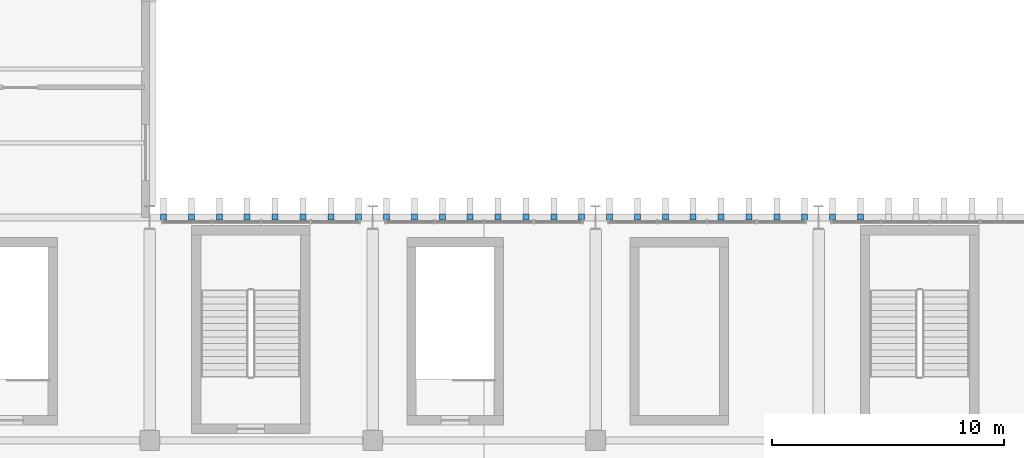
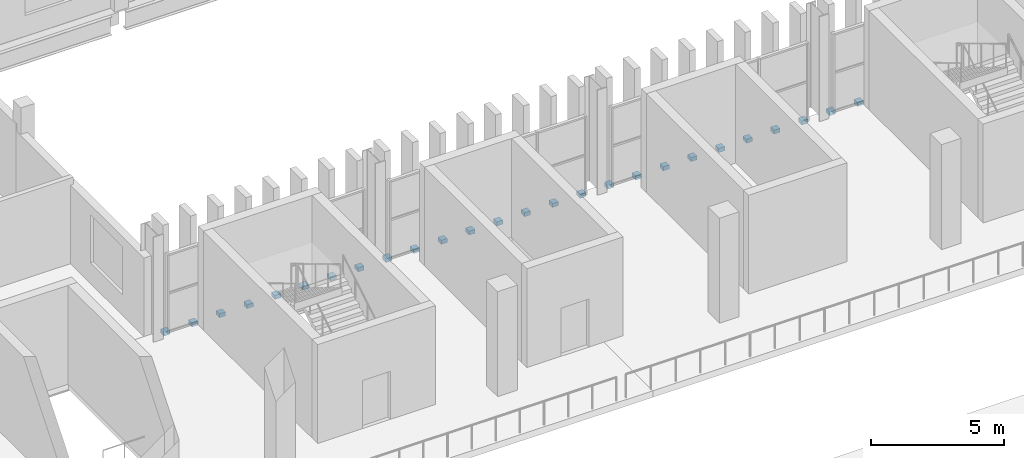
# One storey, part 75 of 99: 26 discrete accessories.
"""IFC4 building model written with IfcOpenShell, lengths in metres."""

from ifc_helpers import new_model, si_unit, direction, frame, origin, origin_2d, place, context, subcontext, project, spatial, rectangle, extrude, material, type_object, element, save


model = new_model("IFC4")

# Units and contexts
model_context = context("Model", 3, precision=1e-05, world=origin(), true_north=direction((0.0, 1.0)))
body_context = subcontext(model_context, "Body", "Model", "MODEL_VIEW")
ifc_project = project(units=[si_unit("LENGTHUNIT", "METRE"), si_unit("AREAUNIT", "SQUARE_METRE"), si_unit("VOLUMEUNIT", "CUBIC_METRE"), si_unit("PLANEANGLEUNIT", "RADIAN"), si_unit("MASSUNIT", "GRAM", prefix="KILO")], contexts=[model_context])

# Site, building, storey
site_placement = place(None, origin())
site = spatial("IfcSite", under=ifc_project, at=site_placement, CompositionType="ELEMENT")
building_placement = place(site_placement, origin())
building = spatial("IfcBuilding", under=site, at=building_placement, Name="Caelomonte Colonnade Arena", CompositionType="ELEMENT")
storey_placement = place(building_placement, frame((0.0, 0.0, 4.800048828125)))
storey = spatial("IfcBuildingStorey", under=building, at=storey_placement, Name="L01", CompositionType="ELEMENT", Elevation=4.800048828125)

# Discrete accessories
ifc_material = material(Name="Steel ASTM A572 Grade 50", Category="steel")
discrete_accessory_type = type_object("IfcDiscreteAccessoryType", Name="ENV-ACC-BRK", PredefinedType="BRACKET", material=ifc_material)
for number, where, z_axis, x_axis, name in (
    (1, (126.60009765625, 115.22998046875, -0.2099609375), (0.0, 0.0, 1.0), (-1.0, 0.0, 0.0), "V1 L01 fin support bracket 106"),
    (2, (125.39990234375, 115.22998046875, -0.2099609375), (0.0, 0.0, 1.0), (-1.0, 0.0, 0.0), "V1 L01 fin support bracket 107"),
    (3, (124.199951171875, 115.22998046875, -0.2099609375), (0.0, 0.0, 1.0), (-1.0, 0.0, 0.0), "V1 L01 fin support bracket 108"),
    (4, (123.0, 115.22998046875, -0.2099609375), (0.0, 0.0, 1.0), (-1.0, 0.0, 0.0), "V1 L01 fin support bracket 109"),
    (5, (121.800048828125, 115.22998046875, -0.2099609375), (0.0, 0.0, 1.0), (-1.0, 0.0, 0.0), "V1 L01 fin support bracket 110"),
    (6, (120.60009765625, 115.22998046875, -0.2099609375), (0.0, 0.0, 1.0), (-1.0, 0.0, 0.0), "V1 L01 fin support bracket 111"),
    (7, (119.39990234375, 115.22998046875, -0.2099609375), (0.0, 0.0, 1.0), (-1.0, 0.0, 0.0), "V1 L01 fin support bracket 112"),
    (8, (118.199951171875, 115.22998046875, -0.2099609375), (0.0, 0.0, 1.0), (-1.0, 0.0, 0.0), "V1 L01 fin support bracket 113"),
    (9, (117.0, 115.22998046875, -0.2099609375), (0.0, 0.0, 1.0), (-1.0, 0.0, 0.0), "V1 L01 fin support bracket 114"),
    (10, (115.800048828125, 115.22998046875, -0.2099609375), (0.0, 0.0, 1.0), (-1.0, 0.0, 0.0), "V1 L01 fin support bracket 115"),
    (11, (114.60009765625, 115.22998046875, -0.2099609375), (0.0, 0.0, 1.0), (-1.0, 0.0, 0.0), "V1 L01 fin support bracket 116"),
    (12, (113.39990234375, 115.22998046875, -0.2099609375), (0.0, 0.0, 1.0), (-1.0, 0.0, 0.0), "V1 L01 fin support bracket 117"),
    (13, (112.199951171875, 115.22998046875, -0.2099609375), (0.0, 0.0, 1.0), (-1.0, 0.0, 0.0), "V1 L01 fin support bracket 118"),
    (14, (111.0, 115.22998046875, -0.2099609375), (0.0, 0.0, 1.0), (-1.0, 0.0, 0.0), "V1 L01 fin support bracket 119"),
    (15, (109.800048828125, 115.22998046875, -0.2099609375), (0.0, 0.0, 1.0), (-1.0, 0.0, 0.0), "V1 L01 fin support bracket 120"),
    (16, (108.60009765625, 115.22998046875, -0.2099609375), (0.0, 0.0, 1.0), (-1.0, 0.0, 0.0), "V1 L01 fin support bracket 121"),
    (17, (107.39990234375, 115.22998046875, -0.2099609375), (0.0, 0.0, 1.0), (-1.0, 0.0, 0.0), "V1 L01 fin support bracket 122"),
    (18, (106.199951171875, 115.22998046875, -0.2099609375), (0.0, 0.0, 1.0), (-1.0, 0.0, 0.0), "V1 L01 fin support bracket 123"),
    (19, (105.0, 115.22998046875, -0.2099609375), (0.0, 0.0, 1.0), (-1.0, 0.0, 0.0), "V1 L01 fin support bracket 124"),
    (20, (103.800048828125, 115.22998046875, -0.2099609375), (0.0, 0.0, 1.0), (-1.0, 0.0, 0.0), "V1 L01 fin support bracket 125"),
    (21, (102.60009765625, 115.22998046875, -0.2099609375), (0.0, 0.0, 1.0), (-1.0, 0.0, 0.0), "V1 L01 fin support bracket 126"),
    (22, (101.39990234375, 115.22998046875, -0.2099609375), (0.0, 0.0, 1.0), (-1.0, 0.0, 0.0), "V1 L01 fin support bracket 127"),
    (23, (100.199951171875, 115.22998046875, -0.2099609375), (0.0, 0.0, 1.0), (-1.0, 0.0, 0.0), "V1 L01 fin support bracket 128"),
    (24, (99.0, 115.22998046875, -0.2099609375), (0.0, 0.0, 1.0), (-1.0, 0.0, 0.0), "V1 L01 fin support bracket 129"),
    (25, (97.800048828125, 115.22998046875, -0.2099609375), (0.0, 0.0, 1.0), (-1.0, 0.0, 0.0), "V1 L01 fin support bracket 130"),
    (26, (96.60009765625, 115.22998046875, -0.2099609375), (0.0, 0.0, 1.0), (-1.0, 0.0, 0.0), "V1 L01 fin support bracket 131"),
):
    element("IfcDiscreteAccessory", number, at=place(storey_placement, frame(where, z_axis=z_axis, x_axis=x_axis)), inside=storey, type_object=discrete_accessory_type, Name=name, PredefinedType="BRACKET", context=body_context, shape_type="SweptSolid", body=[
        extrude(rectangle(XDim=0.260009765625, YDim=0.260009765625, at=origin_2d()), origin(), (0.0, 0.0, 1.0), 0.179931640625),
    ])

save(model, "model.ifc")
